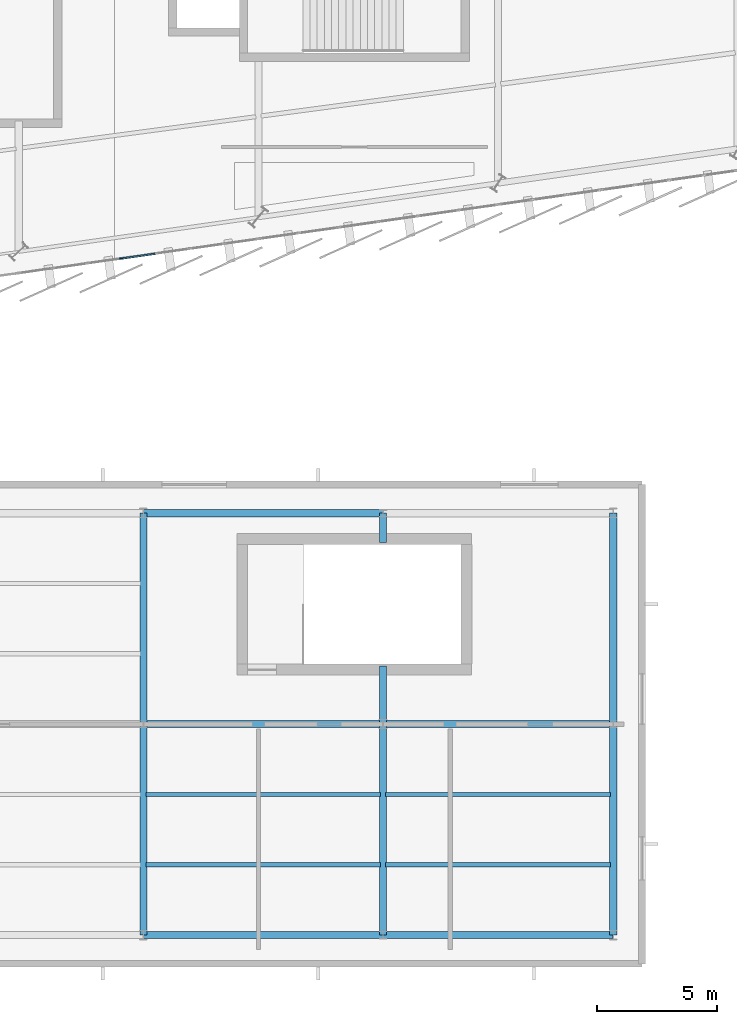
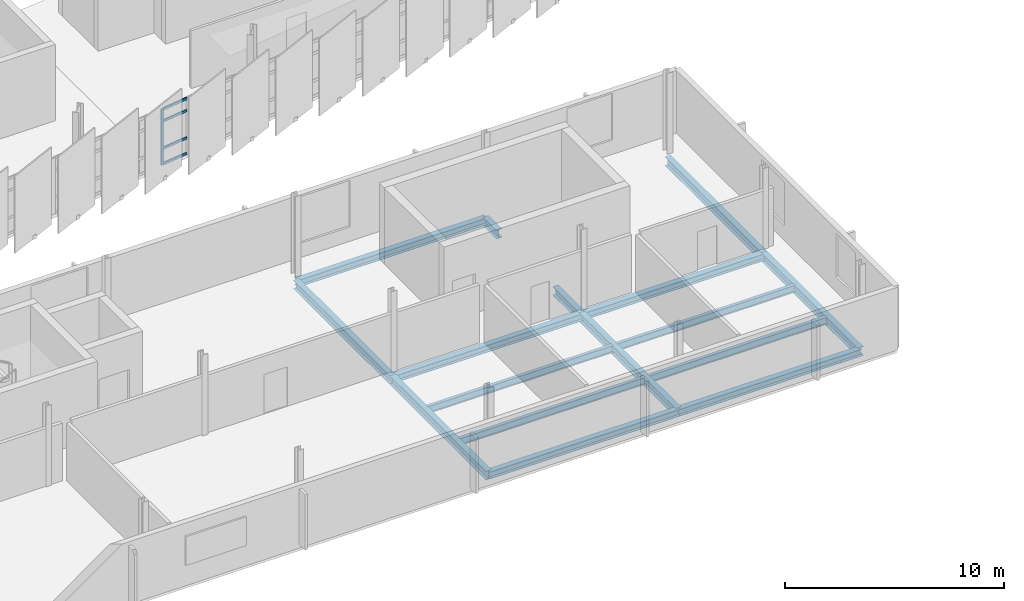
# One storey, part 56 of 120: 16 beams, 5 members, 1 element without a shape of its own.
"""IFC4 building model written with IfcOpenShell, lengths in metres."""

from ifc_helpers import new_model, si_unit, direction, frame, origin, origin_2d, place, context, subcontext, project, spatial, rectangle, i_section, extrude, material, layer, layer_set, material_profile, profile_set, type_object, element, aggregate, save


model = new_model("IFC4")

# Units and contexts
model_context = context("Model", 3, precision=1e-05, world=origin(), true_north=direction((0.0, 1.0)))
body_context = subcontext(model_context, "Body", "Model", "MODEL_VIEW")
ifc_project = project(units=[si_unit("LENGTHUNIT", "METRE"), si_unit("AREAUNIT", "SQUARE_METRE"), si_unit("VOLUMEUNIT", "CUBIC_METRE"), si_unit("PLANEANGLEUNIT", "RADIAN"), si_unit("MASSUNIT", "GRAM", prefix="KILO")], contexts=[model_context])

# Site, building, storey
site_placement = place(None, origin())
site = spatial("IfcSite", under=ifc_project, at=site_placement, CompositionType="ELEMENT")
building_placement = place(site_placement, origin())
building = spatial("IfcBuilding", under=site, at=building_placement, Name="Sohan Crest Arena", CompositionType="ELEMENT")
storey_placement = place(building_placement, frame((0.0, 0.0, 13.5)))
storey = spatial("IfcBuildingStorey", under=building, at=storey_placement, Name="L03", CompositionType="ELEMENT", Elevation=13.5)

# Curtain wall, members
ifc_material_1 = material(Name="Thermally broken anodised aluminium", Category="aluminium")
ifc_layer = layer(ifc_material_1, 0.18994140625, Name="Thermally broken anodised aluminium")
ifc_layer_set = layer_set([ifc_layer], Name="Thermally broken anodised aluminium")
curtain_wall_type = type_object("IfcCurtainWallType", Name="ARC-CW05", PredefinedType="NOTDEFINED", material=ifc_layer_set)
curtain_wall_placement = place(storey_placement, origin())
curtain_wall = element("IfcCurtainWall", 1, at=curtain_wall_placement, inside=storey, type_object=curtain_wall_type, Name="Unitised curtain wall CW-094", PredefinedType="NOTDEFINED")
ifc_material_profile_1 = material_profile(ifc_material_1, rectangle(XDim=0.06005859375, YDim=0.159912109375, at=origin_2d()), Name="ALU-MULL 60x160")
ifc_profile_set_1 = profile_set([ifc_material_profile_1], Name="Thermally broken anodised aluminium")
member_type_1 = type_object("IfcMemberType", Name="ARC-CW-ML01", PredefinedType="MULLION", material=ifc_profile_set_1)
member_1_placement = place(storey_placement, frame((142.28564453125, 35.426513671875, 0.0), z_axis=(0.0, 0.0, 1.0), x_axis=(-0.141462933734, 0.989943553128, 0.0)))
member_1 = element("IfcMember", 2, at=member_1_placement, type_object=member_type_1, Name="CW-094 mullion 4", PredefinedType="MULLION", context=body_context, shape_type="SweptSolid", body=[
    extrude(rectangle(XDim=0.06005859375, YDim=0.159912109375, at=origin_2d()), origin(), (0.0, 0.0, 1.0), 3.1201171875),
])
ifc_material_profile_2 = material_profile(ifc_material_1, rectangle(XDim=0.06494140625, YDim=0.139892578125, at=origin_2d()), Name="ALU-TRAN 65x140")
ifc_profile_set_2 = profile_set([ifc_material_profile_2], Name="Thermally broken anodised aluminium")
member_type_2 = type_object("IfcMemberType", Name="ARC-CW-TR02", PredefinedType="USERDEFINED", material=ifc_profile_set_2)
member_2_placement = place(storey_placement, frame((142.3154296875, 35.4306640625, 0.032470703125), z_axis=(0.989953023856, 0.141396642673, 0.0), x_axis=(-0.141396642673, 0.989953023856, 0.0)))
member_2 = element("IfcMember", 3, at=member_2_placement, type_object=member_type_2, Name="CW-094 transom 4.1", ObjectType="TRANSOM", PredefinedType="USERDEFINED", context=body_context, shape_type="SweptSolid", body=[
    extrude(rectangle(XDim=0.06494140625, YDim=0.139892578125, at=origin_2d()), origin(), (0.0, 0.0, 1.0), 1.383056640625),
])
member_3_placement = place(storey_placement, frame((142.3154296875, 35.4306640625, 0.89990234375), z_axis=(0.989953023856, 0.141396642673, 0.0), x_axis=(-0.141396642673, 0.989953023856, 0.0)))
member_3 = element("IfcMember", 4, at=member_3_placement, type_object=member_type_2, Name="CW-094 transom 4.2", ObjectType="TRANSOM", PredefinedType="USERDEFINED", context=body_context, shape_type="SweptSolid", body=[
    extrude(rectangle(XDim=0.06494140625, YDim=0.139892578125, at=origin_2d()), origin(), (0.0, 0.0, 1.0), 1.383056640625),
])
member_4_placement = place(storey_placement, frame((142.3154296875, 35.4306640625, 2.419921875), z_axis=(0.989953023856, 0.141396642673, 0.0), x_axis=(-0.141396642673, 0.989953023856, 0.0)))
member_4 = element("IfcMember", 5, at=member_4_placement, type_object=member_type_2, Name="CW-094 transom 4.3", ObjectType="TRANSOM", PredefinedType="USERDEFINED", context=body_context, shape_type="SweptSolid", body=[
    extrude(rectangle(XDim=0.06494140625, YDim=0.139892578125, at=origin_2d()), origin(), (0.0, 0.0, 1.0), 1.383056640625),
])
member_5_placement = place(storey_placement, frame((142.3154296875, 35.4306640625, 3.08740234375), z_axis=(0.989953023856, 0.141396642673, 0.0), x_axis=(-0.141396642673, 0.989953023856, 0.0)))
member_5 = element("IfcMember", 6, at=member_5_placement, type_object=member_type_2, Name="CW-094 transom 4.4", ObjectType="TRANSOM", PredefinedType="USERDEFINED", context=body_context, shape_type="SweptSolid", body=[
    extrude(rectangle(XDim=0.06494140625, YDim=0.139892578125, at=origin_2d()), origin(), (0.0, 0.0, 1.0), 1.383056640625),
])
aggregate(curtain_wall, [member_1, member_2, member_3, member_4, member_5])

# Beams
ifc_material_2 = material(Name="Steel S355", Category="steel")
ifc_material_profile_3 = material_profile(ifc_material_2, i_section(OverallWidth=0.179931640625, OverallDepth=0.39990234375, WebThickness=0.008544921875, FlangeThickness=0.013427734375, at=origin_2d()), Name="IPE 400")
ifc_profile_set_3 = profile_set([ifc_material_profile_3], Name="Steel S355")
beam_type_1 = type_object("IfcBeamType", Name="STR-BM-B03", PredefinedType="JOIST", material=ifc_profile_set_3)
for number, where, z_axis, x_axis, name in (
    (7, (143.31005859375, 10.133056640625, -0.449951171875), (1.0, 0.0, 0.0), (0.0, 1.0, 0.0), "Structural beam J-L03-2745"),
    (8, (143.31005859375, 13.06689453125, -0.449951171875), (1.0, 0.0, 0.0), (0.0, 1.0, 0.0), "Structural beam J-L03-2746"),
):
    element("IfcBeam", number, at=place(storey_placement, frame(where, z_axis=z_axis, x_axis=x_axis)), inside=storey, type_object=beam_type_1, Name=name, PredefinedType="JOIST", context=body_context, shape_type="SweptSolid", body=[
        extrude(i_section(OverallWidth=0.179931640625, OverallDepth=0.39990234375, WebThickness=0.008544921875, FlangeThickness=0.013427734375, at=origin_2d()), origin(), (0.0, 0.0, 1.0), 9.780029296875),
    ])
for number, where, z_axis, x_axis, name in (
    (9, (153.31005859375, 10.133056640625, -0.449951171875), (1.0, 0.0, 0.0), (0.0, 1.0, 0.0), "Structural beam J-L03-2748"),
    (10, (153.31005859375, 13.06689453125, -0.449951171875), (1.0, 0.0, 0.0), (0.0, 1.0, 0.0), "Structural beam J-L03-2749"),
):
    element("IfcBeam", number, at=place(storey_placement, frame(where, z_axis=z_axis, x_axis=x_axis)), inside=storey, type_object=beam_type_1, Name=name, PredefinedType="JOIST", context=body_context, shape_type="SweptSolid", body=[
        extrude(i_section(OverallWidth=0.179931640625, OverallDepth=0.39990234375, WebThickness=0.008544921875, FlangeThickness=0.013427734375, at=origin_2d()), origin(), (0.0, 0.0, 1.0), 9.3798828125),
    ])
ifc_material_profile_4 = material_profile(ifc_material_2, i_section(OverallWidth=0.300048828125, OverallDepth=0.389892578125, WebThickness=0.010986328125, FlangeThickness=0.01904296875, at=origin_2d()), Name="HEA 400")
ifc_profile_set_4 = profile_set([ifc_material_profile_4], Name="Steel S355")
beam_type_2 = type_object("IfcBeamType", Name="STR-BM-B09", PredefinedType="BEAM", material=ifc_profile_set_4)
beam_1_placement = place(storey_placement, frame((143.199951171875, 7.199951171875, -0.445068359375), z_axis=(1.0, 0.0, 0.0), x_axis=(0.0, 1.0, 0.0)))
element("IfcBeam", 11, at=beam_1_placement, inside=storey, type_object=beam_type_2, Name="Structural beam G-L03-2744", PredefinedType="BEAM", context=body_context, shape_type="SweptSolid", body=[
    extrude(i_section(OverallWidth=0.300048828125, OverallDepth=0.389892578125, WebThickness=0.010986328125, FlangeThickness=0.01904296875, at=origin_2d()), origin(), (0.0, 0.0, 1.0), 10.0),
])
beam_2_placement = place(storey_placement, frame((153.199951171875, 7.199951171875, -0.445068359375), z_axis=(1.0, 0.0, 0.0), x_axis=(0.0, 1.0, 0.0)))
element("IfcBeam", 12, at=beam_2_placement, inside=storey, type_object=beam_type_2, Name="Structural beam G-L03-2747", PredefinedType="BEAM", context=body_context, shape_type="SweptSolid", body=[
    extrude(i_section(OverallWidth=0.300048828125, OverallDepth=0.389892578125, WebThickness=0.010986328125, FlangeThickness=0.01904296875, at=origin_2d()), origin(), (0.0, 0.0, 1.0), 9.60009765625),
])
beam_3_placement = place(storey_placement, frame((143.199951171875, 16.0, -0.445068359375), z_axis=(1.0, 0.0, 0.0), x_axis=(0.0, 1.0, 0.0)))
element("IfcBeam", 13, at=beam_3_placement, inside=storey, type_object=beam_type_2, Name="Structural beam G-L03-2759", PredefinedType="BEAM", context=body_context, shape_type="SweptSolid", body=[
    extrude(i_section(OverallWidth=0.300048828125, OverallDepth=0.389892578125, WebThickness=0.010986328125, FlangeThickness=0.01904296875, at=origin_2d()), origin(), (0.0, 0.0, 1.0), 10.0),
])
beam_4_placement = place(storey_placement, frame((153.199951171875, 16.0, -0.445068359375), z_axis=(1.0, 0.0, 0.0), x_axis=(0.0, 1.0, 0.0)))
element("IfcBeam", 14, at=beam_4_placement, inside=storey, type_object=beam_type_2, Name="Structural beam G-L03-2760", PredefinedType="BEAM", context=body_context, shape_type="SweptSolid", body=[
    extrude(i_section(OverallWidth=0.300048828125, OverallDepth=0.389892578125, WebThickness=0.010986328125, FlangeThickness=0.01904296875, at=origin_2d()), origin(), (0.0, 0.0, 1.0), 9.60009765625),
])
beam_5_placement = place(storey_placement, frame((143.199951171875, 24.800048828125, -0.445068359375), z_axis=(1.0, 0.0, 0.0), x_axis=(0.0, 1.0, 0.0)))
element("IfcBeam", 15, at=beam_5_placement, inside=storey, type_object=beam_type_2, Name="Structural beam G-L03-2768", PredefinedType="BEAM", context=body_context, shape_type="SweptSolid", body=[
    extrude(i_section(OverallWidth=0.300048828125, OverallDepth=0.389892578125, WebThickness=0.010986328125, FlangeThickness=0.01904296875, at=origin_2d()), origin(), (0.0, 0.0, 1.0), 10.0),
])
ifc_material_profile_5 = material_profile(ifc_material_2, i_section(OverallWidth=0.300048828125, OverallDepth=0.489990234375, WebThickness=0.011962890625, FlangeThickness=0.02294921875, at=origin_2d()), Name="HEA 500")
ifc_profile_set_5 = profile_set([ifc_material_profile_5], Name="Steel S355")
beam_type_3 = type_object("IfcBeamType", Name="STR-BM-B10", PredefinedType="BEAM", material=ifc_profile_set_5)
for number, where, z_axis, x_axis, name in (
    (16, (143.199951171875, 7.199951171875, -0.4951171875), (0.0, 1.0, 0.0), (-1.0, 0.0, 0.0), "Structural beam G-L03-2716"),
    (17, (143.199951171875, 16.0, -0.4951171875), (0.0, 1.0, 0.0), (-1.0, 0.0, 0.0), "Structural beam G-L03-2717"),
    (18, (153.199951171875, 7.199951171875, -0.4951171875), (0.0, 1.0, 0.0), (-1.0, 0.0, 0.0), "Structural beam G-L03-2718"),
):
    element("IfcBeam", number, at=place(storey_placement, frame(where, z_axis=z_axis, x_axis=x_axis)), inside=storey, type_object=beam_type_3, Name=name, PredefinedType="BEAM", context=body_context, shape_type="SweptSolid", body=[
        extrude(i_section(OverallWidth=0.300048828125, OverallDepth=0.489990234375, WebThickness=0.011962890625, FlangeThickness=0.02294921875, at=origin_2d()), origin(), (0.0, 0.0, 1.0), 8.800048828125),
    ])
beam_6_placement = place(storey_placement, frame((153.199951171875, 16.0, -0.4951171875), z_axis=(0.0, 1.0, 0.0), x_axis=(-1.0, 0.0, 0.0)))
element("IfcBeam", 19, at=beam_6_placement, inside=storey, type_object=beam_type_3, Name="Structural beam G-L03-2719", PredefinedType="BEAM", context=body_context, shape_type="SweptSolid", body=[
    extrude(i_section(OverallWidth=0.300048828125, OverallDepth=0.489990234375, WebThickness=0.011962890625, FlangeThickness=0.02294921875, at=origin_2d()), origin(), (0.0, 0.0, 1.0), 2.419921875),
])
beam_7_placement = place(storey_placement, frame((153.199951171875, 23.580078125, -0.4951171875), z_axis=(0.0, 1.0, 0.0), x_axis=(-1.0, 0.0, 0.0)))
element("IfcBeam", 20, at=beam_7_placement, inside=storey, type_object=beam_type_3, Name="Structural beam G-L03-2720", PredefinedType="BEAM", context=body_context, shape_type="SweptSolid", body=[
    extrude(i_section(OverallWidth=0.300048828125, OverallDepth=0.489990234375, WebThickness=0.011962890625, FlangeThickness=0.02294921875, at=origin_2d()), origin(), (0.0, 0.0, 1.0), 1.219970703125),
])
for number, where, z_axis, x_axis, name in (
    (21, (162.800048828125, 7.199951171875, -0.4951171875), (0.0, 1.0, 0.0), (-1.0, 0.0, 0.0), "Structural beam G-L03-2721"),
    (22, (162.800048828125, 16.0, -0.4951171875), (0.0, 1.0, 0.0), (-1.0, 0.0, 0.0), "Structural beam G-L03-2722"),
):
    element("IfcBeam", number, at=place(storey_placement, frame(where, z_axis=z_axis, x_axis=x_axis)), inside=storey, type_object=beam_type_3, Name=name, PredefinedType="BEAM", context=body_context, shape_type="SweptSolid", body=[
        extrude(i_section(OverallWidth=0.300048828125, OverallDepth=0.489990234375, WebThickness=0.011962890625, FlangeThickness=0.02294921875, at=origin_2d()), origin(), (0.0, 0.0, 1.0), 8.800048828125),
    ])

save(model, "model.ifc")
